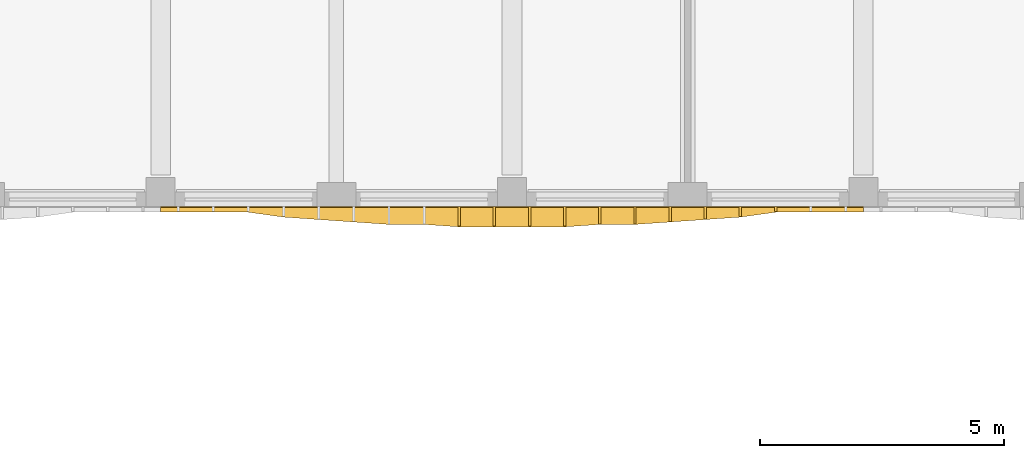
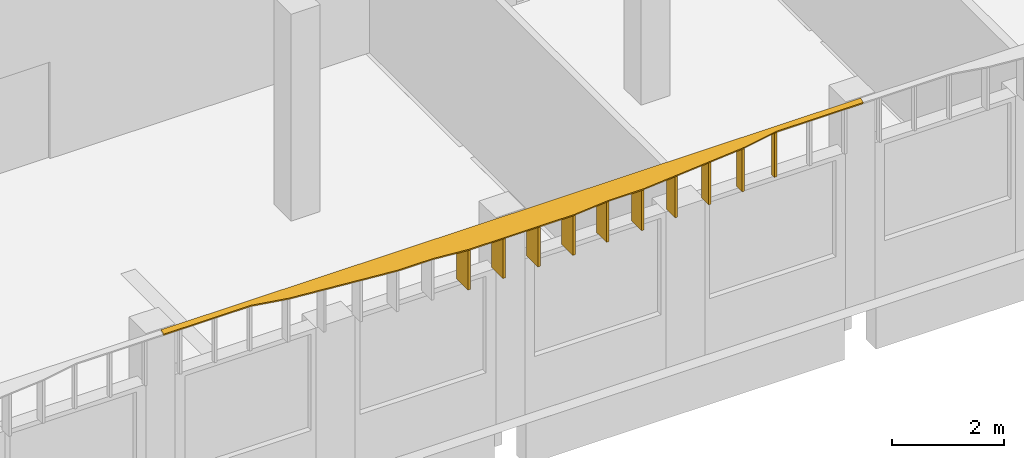
# One storey, part 35 of 44: 11 shading devices.
"""IFC4 building model written with IfcOpenShell, lengths in metres."""

from ifc_helpers import new_model, si_unit, direction, frame, origin, place, context, subcontext, project, spatial, polyline, outline, extrude, material, layer, layer_set, type_object, element, save


model = new_model("IFC4")

# Units and contexts
model_context = context("Model", 3, precision=1e-05, world=origin(), true_north=direction((0.0, 1.0)))
body_context = subcontext(model_context, "Body", "Model", "MODEL_VIEW")
ifc_project = project(units=[si_unit("LENGTHUNIT", "METRE"), si_unit("AREAUNIT", "SQUARE_METRE"), si_unit("VOLUMEUNIT", "CUBIC_METRE"), si_unit("PLANEANGLEUNIT", "RADIAN"), si_unit("MASSUNIT", "GRAM", prefix="KILO")], contexts=[model_context])

# Site, building, storey
site_placement = place(None, origin())
site = spatial("IfcSite", under=ifc_project, at=site_placement, CompositionType="ELEMENT")
building_placement = place(site_placement, origin())
building = spatial("IfcBuilding", under=site, at=building_placement, Name="Ussher Court Research Institute", CompositionType="ELEMENT")
storey_placement = place(building_placement, frame((0.0, 0.0, 18.89990234375)))
storey = spatial("IfcBuildingStorey", under=building, at=storey_placement, Name="L04", CompositionType="ELEMENT", Elevation=18.89990234375)

# Shading devices
ifc_material_1 = material(Name="Bronze anodised aluminium", Category="aluminium")
ifc_layer_1 = layer(ifc_material_1, 0.050048828125)
ifc_layer_set_1 = layer_set([ifc_layer_1], Name="Bronze anodised aluminium")
shading_device_type_1 = type_object("IfcShadingDeviceType", Name="Brim blade 100 mm deep 1000 mm high canted 20 deg dry", PredefinedType="USERDEFINED", material=ifc_layer_set_1)
shading_device_1_placement = place(storey_placement, frame((66.0, 68.39990234375, 3.4501953125), z_axis=(0.0, 0.0, 1.0), x_axis=(0.0, -1.0, 0.0)))
element("IfcShadingDevice", 1, at=shading_device_1_placement, inside=storey, type_object=shading_device_type_1, Name="Brim blade BS17 L04", ObjectType="BLADE", PredefinedType="USERDEFINED", context=body_context, shape_type="SweptSolid", body=[
    extrude(outline(polyline([(0.0, 0.0), (0.099853515625, 0.0), (0.10009765625, 0.963623046875), (0.0, 1.0), (0.0, 0.0)])), frame((0.0, 0.02490234375, 0.0), z_axis=(0.0, -1.0, 0.0), x_axis=(1.0, 0.0, 0.0)), (0.0, 0.0, 1.0), 0.050048828125),
])
ifc_material_2 = material(Name="Bronze anodised aluminium", Category="aluminium")
ifc_layer_2 = layer(ifc_material_2, 0.050048828125)
ifc_layer_set_2 = layer_set([ifc_layer_2], Name="Bronze anodised aluminium")
shading_device_type_2 = type_object("IfcShadingDeviceType", Name="Brim blade 200 mm deep 1000 mm high canted 20 deg dry", PredefinedType="USERDEFINED", material=ifc_layer_set_2)
shading_device_2_placement = place(storey_placement, frame((65.280029296875, 68.39990234375, 3.4501953125), z_axis=(0.0, 0.0, 1.0), x_axis=(0.0, -1.0, 0.0)))
element("IfcShadingDevice", 2, at=shading_device_2_placement, inside=storey, type_object=shading_device_type_2, Name="Brim blade BS15 L04", ObjectType="BLADE", PredefinedType="USERDEFINED", context=body_context, shape_type="SweptSolid", body=[
    extrude(outline(polyline([(0.0, 0.0), (0.199951171875, 0.0), (0.199951171875, 0.927001953125), (0.0, 1.0), (0.0, 0.0)])), frame((0.0, 0.02490234375, 0.0), z_axis=(0.0, -1.0, 0.0), x_axis=(1.0, 0.0, 0.0)), (0.0, 0.0, 1.0), 0.050048828125),
])
ifc_material_3 = material(Name="Bronze anodised aluminium", Category="aluminium")
ifc_layer_3 = layer(ifc_material_3, 0.050048828125)
ifc_layer_set_3 = layer_set([ifc_layer_3], Name="Bronze anodised aluminium")
shading_device_type_3 = type_object("IfcShadingDeviceType", Name="Brim blade 250 mm deep 1000 mm high canted 20 deg dry", PredefinedType="USERDEFINED", material=ifc_layer_set_3)
shading_device_3_placement = place(storey_placement, frame((64.56005859375, 68.39990234375, 3.4501953125), z_axis=(0.0, 0.0, 1.0), x_axis=(0.0, -1.0, 0.0)))
element("IfcShadingDevice", 3, at=shading_device_3_placement, inside=storey, type_object=shading_device_type_3, Name="Brim blade BS14 L04", ObjectType="BLADE", PredefinedType="USERDEFINED", context=body_context, shape_type="SweptSolid", body=[
    extrude(outline(polyline([(0.0, 0.0), (0.25, 0.0), (0.25, 0.908935546875), (0.0, 1.0), (0.0, 0.0)])), frame((0.0, 0.02490234375, 0.0), z_axis=(0.0, -1.0, 0.0), x_axis=(1.0, 0.0, 0.0)), (0.0, 0.0, 1.0), 0.050048828125),
])
ifc_material_4 = material(Name="Bronze anodised aluminium", Category="aluminium")
ifc_layer_4 = layer(ifc_material_4, 0.050048828125)
ifc_layer_set_4 = layer_set([ifc_layer_4], Name="Bronze anodised aluminium")
shading_device_type_4 = type_object("IfcShadingDeviceType", Name="Brim blade 300 mm deep 1000 mm high canted 20 deg dry", PredefinedType="USERDEFINED", material=ifc_layer_set_4)
shading_device_4_placement = place(storey_placement, frame((63.840087890625, 68.39990234375, 3.4501953125), z_axis=(0.0, 0.0, 1.0), x_axis=(0.0, -1.0, 0.0)))
element("IfcShadingDevice", 4, at=shading_device_4_placement, inside=storey, type_object=shading_device_type_4, Name="Brim blade BS13 L04", ObjectType="BLADE", PredefinedType="USERDEFINED", context=body_context, shape_type="SweptSolid", body=[
    extrude(outline(polyline([(0.0, 0.0), (0.2998046875, 0.0), (0.300048828125, 0.890625), (0.0, 1.0), (0.0, 0.0)])), frame((0.0, 0.02490234375, 0.0), z_axis=(0.0, -1.0, 0.0), x_axis=(1.0, 0.0, 0.0)), (0.0, 0.0, 1.0), 0.050048828125),
])
ifc_material_5 = material(Name="Bronze anodised aluminium", Category="aluminium")
ifc_layer_5 = layer(ifc_material_5, 0.050048828125)
ifc_layer_set_5 = layer_set([ifc_layer_5], Name="Bronze anodised aluminium")
shading_device_type_5 = type_object("IfcShadingDeviceType", Name="Brim blade 350 mm deep 1000 mm high canted 20 deg dry", PredefinedType="USERDEFINED", material=ifc_layer_set_5)
for number, where, z_axis, x_axis, name in (
    (5, (63.1201171875, 68.39990234375, 3.4501953125), (0.0, 0.0, 1.0), (0.0, -1.0, 0.0), "Brim blade BS12 L04"),
    (6, (62.39990234375, 68.39990234375, 3.4501953125), (0.0, 0.0, 1.0), (0.0, -1.0, 0.0), "Brim blade BS12 L04"),
):
    element("IfcShadingDevice", number, at=place(storey_placement, frame(where, z_axis=z_axis, x_axis=x_axis)), inside=storey, type_object=shading_device_type_5, Name=name, ObjectType="BLADE", PredefinedType="USERDEFINED", context=body_context, shape_type="SweptSolid", body=[
        extrude(outline(polyline([(0.0, 0.0), (0.349853515625, 0.0), (0.35009765625, 0.87255859375), (0.0, 1.0), (0.0, 0.0)])), frame((0.0, 0.02490234375, 0.0), z_axis=(0.0, -1.0, 0.0), x_axis=(1.0, 0.0, 0.0)), (0.0, 0.0, 1.0), 0.050048828125),
    ])
ifc_material_6 = material(Name="Bronze anodised aluminium", Category="aluminium")
ifc_layer_6 = layer(ifc_material_6, 0.050048828125)
ifc_layer_set_6 = layer_set([ifc_layer_6], Name="Bronze anodised aluminium")
shading_device_type_6 = type_object("IfcShadingDeviceType", Name="Brim blade 400 mm deep 1000 mm high canted 20 deg dry", PredefinedType="USERDEFINED", material=ifc_layer_set_6)
for number, where, z_axis, x_axis, name in (
    (7, (61.679931640625, 68.39990234375, 3.4501953125), (0.0, 0.0, 1.0), (0.0, -1.0, 0.0), "Brim blade BS11 L04"),
    (8, (60.9599609375, 68.39990234375, 3.4501953125), (0.0, 0.0, 1.0), (0.0, -1.0, 0.0), "Brim blade BS11 L04"),
    (9, (60.239990234375, 68.39990234375, 3.4501953125), (0.0, 0.0, 1.0), (0.0, -1.0, 0.0), "Brim blade BS11 L04"),
    (10, (59.52001953125, 68.39990234375, 3.4501953125), (0.0, 0.0, 1.0), (0.0, -1.0, 0.0), "Brim blade BS11 L04"),
):
    element("IfcShadingDevice", number, at=place(storey_placement, frame(where, z_axis=z_axis, x_axis=x_axis)), inside=storey, type_object=shading_device_type_6, Name=name, ObjectType="BLADE", PredefinedType="USERDEFINED", context=body_context, shape_type="SweptSolid", body=[
        extrude(outline(polyline([(0.0, 0.0), (0.39990234375, 0.0), (0.39990234375, 0.854248046875), (0.0, 1.0), (0.0, 0.0)])), frame((0.0, 0.02490234375, 0.0), z_axis=(0.0, -1.0, 0.0), x_axis=(1.0, 0.0, 0.0)), (0.0, 0.0, 1.0), 0.050048828125),
    ])
ifc_material_7 = material(Name="Bronze anodised aluminium", Category="aluminium")
ifc_layer_7 = layer(ifc_material_7, 0.0400390625)
ifc_layer_set_7 = layer_set([ifc_layer_7], Name="Bronze anodised aluminium")
shading_device_type_7 = type_object("IfcShadingDeviceType", Name="Brim visor sheet 40 mm canted 20 deg dry", PredefinedType="USERDEFINED", material=ifc_layer_set_7)
shading_device_5_placement = place(storey_placement, frame((67.800048828125, 68.38623046875, 4.48779296875), z_axis=(0.0, -0.342400471463, 0.939554105489), x_axis=(-1.0, 0.0, 0.0)))
element("IfcShadingDevice", 11, at=shading_device_5_placement, inside=storey, type_object=shading_device_type_7, Name="Brim visor sheet BR2 L04", ObjectType="BRIM", PredefinedType="USERDEFINED", context=body_context, shape_type="SweptSolid", body=[
    extrude(outline(polyline([(0.0, 0.0), (14.400146484375, 0.0), (14.400146484375, 0.10627326645340238), (14.0400390625, 0.10627326645340238), (13.320068359375, 0.10627326645340238), (12.60009765625, 0.10627326645340238), (11.880126953125, 0.2128595100984436), (11.16015625, 0.2660690380558608), (10.43994140625, 0.3193621598783814), (9.719970703125, 0.37234230450926314), (9.0, 0.37234230450926314), (8.280029296875, 0.42563542633178375), (7.56005859375, 0.42563542633178375), (6.840087890625, 0.42563542633178375), (6.1201171875, 0.42563542633178375), (5.400146484375, 0.37234230450926314), (4.679931640625, 0.37234230450926314), (3.9599609375, 0.3193621598783814), (3.239990234375, 0.2660690380558608), (2.52001953125, 0.2128595100984436), (1.800048828125, 0.10627326645340238), (1.080078125, 0.10627326645340238), (0.360107421875, 0.10627326645340238), (0.0, 0.10627326645340238), (0.0, 0.0)])), origin(), (0.0, 0.0, -1.0), 0.0400390625),
])

save(model, "model.ifc")
